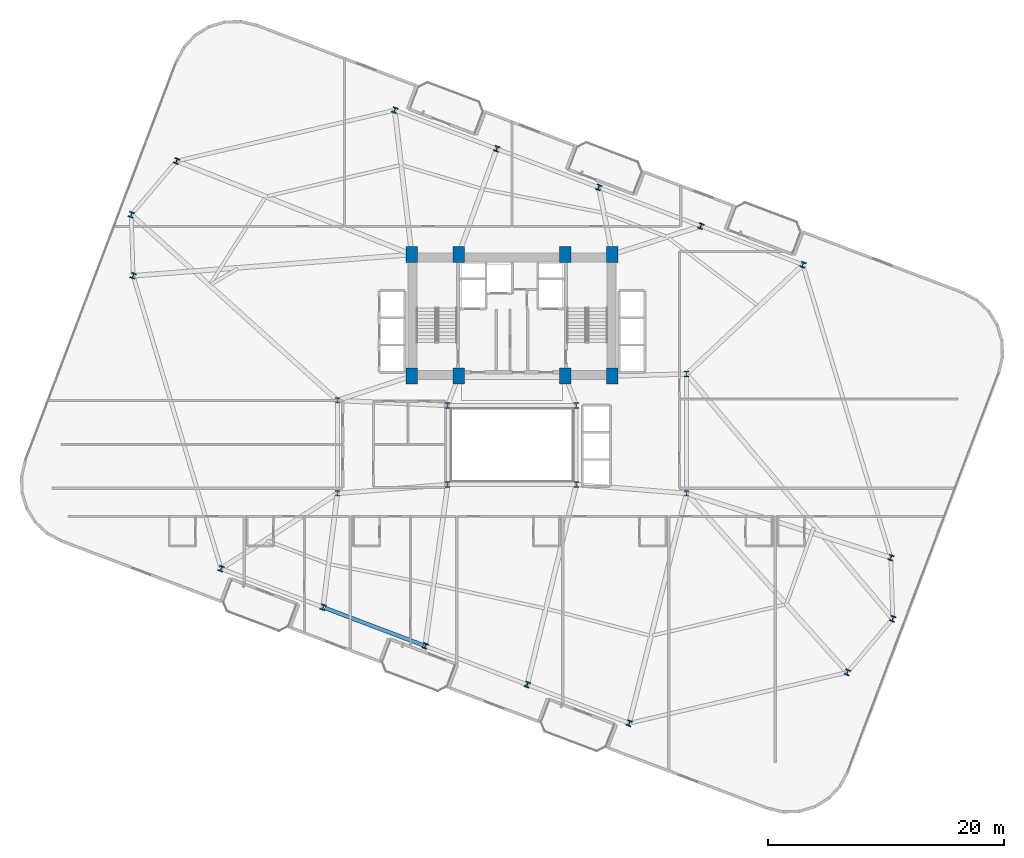
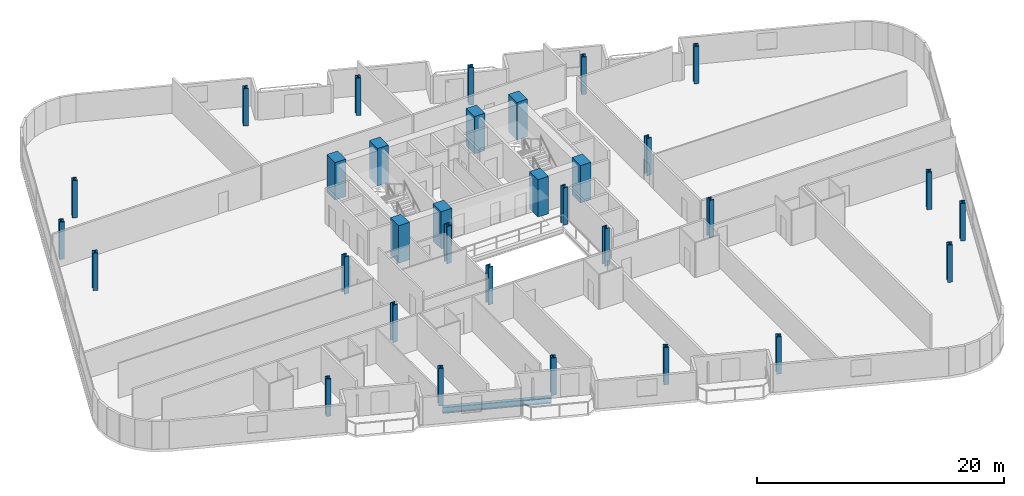
# One storey, part 1 of 25: 32 columns, 1 beam.
"""IFC4 building model written with IfcOpenShell, lengths in metres."""

from ifc_helpers import new_model, si_unit, direction, frame, origin, origin_2d, place, context, subcontext, project, spatial, rectangle, i_section, extrude, material, material_profile, profile_set, type_object, element, save


model = new_model("IFC4")

# Units and contexts
model_context = context("Model", 3, precision=1e-05, world=origin(), true_north=direction((0.0, 1.0)))
body_context = subcontext(model_context, "Body", "Model", "MODEL_VIEW")
ifc_project = project(units=[si_unit("LENGTHUNIT", "METRE"), si_unit("AREAUNIT", "SQUARE_METRE"), si_unit("VOLUMEUNIT", "CUBIC_METRE"), si_unit("PLANEANGLEUNIT", "RADIAN"), si_unit("MASSUNIT", "GRAM", prefix="KILO")], contexts=[model_context])

# Site, building, storey
site_placement = place(None, origin())
site = spatial("IfcSite", under=ifc_project, at=site_placement, CompositionType="ELEMENT")
building_placement = place(site_placement, origin())
building = spatial("IfcBuilding", under=site, at=building_placement, Name="Varnelok Gate Tower", CompositionType="ELEMENT")
storey_placement = place(building_placement, frame((0.0, 0.0, 83.60009765625)))
storey = spatial("IfcBuildingStorey", under=building, at=storey_placement, Name="L20", CompositionType="ELEMENT", Elevation=83.60009765625)

# Columns
ifc_material_1 = material(Name="Concrete C70/85", Category="concrete")
ifc_material_profile_1 = material_profile(ifc_material_1, rectangle(XDim=1.0, YDim=1.35009765625, at=origin_2d()), Name="RC1350X1000")
ifc_profile_set_1 = profile_set([ifc_material_profile_1], Name="Concrete C70/85")
column_type_1 = type_object("IfcColumnType", Name="COL-RC1350X1000", PredefinedType="COLUMN", material=ifc_profile_set_1)
for number, where, z_axis, x_axis, name in (
    (1, (30.699951171875, 28.75, 0.0), (0.0, 0.0, 1.0), (1.0, 0.0, 0.0), "L20 Core Spine Column SC1"),
    (2, (34.679931640625, 28.75, 0.0), (0.0, 0.0, 1.0), (1.0, 0.0, 0.0), "L20 Core Spine Column SC2"),
    (3, (43.719970703125, 28.75, 0.0), (0.0, 0.0, 1.0), (1.0, 0.0, 0.0), "L20 Core Spine Column SC3"),
    (4, (47.699951171875, 28.75, 0.0), (0.0, 0.0, 1.0), (1.0, 0.0, 0.0), "L20 Core Spine Column SC4"),
    (5, (30.699951171875, 39.050048828125, 0.0), (0.0, 0.0, 1.0), (1.0, 0.0, 0.0), "L20 Core Spine Column SC5"),
    (6, (34.679931640625, 39.050048828125, 0.0), (0.0, 0.0, 1.0), (1.0, 0.0, 0.0), "L20 Core Spine Column SC6"),
    (7, (43.719970703125, 39.050048828125, 0.0), (0.0, 0.0, 1.0), (1.0, 0.0, 0.0), "L20 Core Spine Column SC7"),
    (8, (47.699951171875, 39.050048828125, 0.0), (0.0, 0.0, 1.0), (1.0, 0.0, 0.0), "L20 Core Spine Column SC8"),
):
    element("IfcColumn", number, at=place(storey_placement, frame(where, z_axis=z_axis, x_axis=x_axis)), inside=storey, type_object=column_type_1, Name=name, PredefinedType="COLUMN", context=body_context, shape_type="SweptSolid", body=[
        extrude(rectangle(XDim=1.0, YDim=1.35009765625, at=origin_2d()), origin(), (0.0, 0.0, 1.0), 3.699951171875),
    ])
ifc_material_2 = material(Name="Structural Steel ASTM A992 Grade 50", Category="steel")
ifc_material_profile_2 = material_profile(ifc_material_2, i_section(OverallWidth=0.424072265625, OverallDepth=0.47412109375, WebThickness=0.047607421875, FlangeThickness=0.0771484375, FilletRadius=0.02490234375, at=origin_2d()), Name="W14X426")
ifc_profile_set_2 = profile_set([ifc_material_profile_2], Name="Structural Steel ASTM A992 Grade 50")
column_type_2 = type_object("IfcColumnType", Name="COL-W14X426", PredefinedType="COLUMN", material=ifc_profile_set_2)
for number, where, z_axis, x_axis, name in (
    (9, (33.75, 19.550048828125, 0.0), (0.0, 0.0, 1.0), (1.0, 0.0, 0.0), "L20 Atrium Spine Column AC1"),
    (10, (44.64990234375, 19.550048828125, 0.0), (0.0, 0.0, 1.0), (1.0, 0.0, 0.0), "L20 Atrium Spine Column AC2"),
    (11, (33.75, 26.25, 0.0), (0.0, 0.0, 1.0), (1.0, 0.0, 0.0), "L20 Atrium Spine Column AC3"),
    (12, (44.64990234375, 26.25, 0.0), (0.0, 0.0, 1.0), (1.0, 0.0, 0.0), "L20 Atrium Spine Column AC4"),
    (13, (24.39990234375, 18.800048828125, 0.0), (0.0, 0.0, 1.0), (1.0, 0.0, 0.0), "L20 Wing Spine Column WS1"),
    (14, (24.39990234375, 26.679931640625, 0.0), (0.0, 0.0, 1.0), (1.0, 0.0, 0.0), "L20 Wing Spine Column WS2"),
    (15, (54.0, 18.800048828125, 0.0), (0.0, 0.0, 1.0), (1.0, 0.0, 0.0), "L20 Wing Spine Column ES1"),
    (16, (54.0, 28.919921875, 0.0), (0.0, 0.0, 1.0), (1.0, 0.0, 0.0), "L20 Wing Spine Column ES2"),
    (17, (14.541015625, 12.416259765625, 0.0), (0.0, 0.0, 1.0), (0.935221751401, -0.354062530786, 0.0), "L20 B2 Perimeter Column PC01"),
    (18, (23.19189453125, 9.14111328125, 0.0), (0.0, 0.0, 1.0), (0.935221751401, -0.354062530786, 0.0), "L20 B2 Perimeter Column PC02"),
    (19, (31.842529296875, 5.8662109375, 0.0), (0.0, 0.0, 1.0), (0.935221751401, -0.354062530786, 0.0), "L20 B2 Perimeter Column PC03"),
    (20, (40.493408203125, 2.591064453125, 0.0), (0.0, 0.0, 1.0), (0.935221751401, -0.354062530786, 0.0), "L20 B2 Perimeter Column PC04"),
    (21, (49.144287109375, -0.68408203125, 0.0), (0.0, 0.0, 1.0), (0.935221751401, -0.354062530786, 0.0), "L20 B2 Perimeter Column PC05"),
    (22, (67.63671875, 3.627685546875, 0.0), (0.0, 0.0, 1.0), (0.935221751401, -0.354062530786, 0.0), "L20 B2 Perimeter Column PC06"),
    (23, (71.4765625, 8.172607421875, 0.0), (0.0, 0.0, 1.0), (0.935221751401, -0.354062530786, 0.0), "L20 B2 Perimeter Column PC07"),
    (24, (71.319091796875, 13.35400390625, 0.0), (0.0, 0.0, 1.0), (0.935221751401, -0.354062530786, 0.0), "L20 B2 Perimeter Column PC08"),
    (25, (63.85888671875, 38.183837890625, 0.0), (0.0, 0.0, 1.0), (0.935221751401, -0.354062530786, 0.0), "L20 B2 Perimeter Column PC09"),
    (26, (55.208251953125, 41.458740234375, 0.0), (0.0, 0.0, 1.0), (0.935221751401, -0.354062530786, 0.0), "L20 B2 Perimeter Column PC10"),
    (27, (46.557373046875, 44.73388671875, 0.0), (0.0, 0.0, 1.0), (0.935221751401, -0.354062530786, 0.0), "L20 B2 Perimeter Column PC11"),
    (28, (37.906494140625, 48.009033203125, 0.0), (0.0, 0.0, 1.0), (0.935221751401, -0.354062530786, 0.0), "L20 B2 Perimeter Column PC12"),
    (29, (29.255859375, 51.2841796875, 0.0), (0.0, 0.0, 1.0), (0.935221751401, -0.354062530786, 0.0), "L20 B2 Perimeter Column PC13"),
    (30, (10.76318359375, 46.972412109375, 0.0), (0.0, 0.0, 1.0), (0.935221751401, -0.354062530786, 0.0), "L20 B2 Perimeter Column PC14"),
    (31, (6.92333984375, 42.427490234375, 0.0), (0.0, 0.0, 1.0), (0.935221751401, -0.354062530786, 0.0), "L20 B2 Perimeter Column PC15"),
    (32, (7.0810546875, 37.24609375, 0.0), (0.0, 0.0, 1.0), (0.935221751401, -0.354062530786, 0.0), "L20 B2 Perimeter Column PC16"),
):
    element("IfcColumn", number, at=place(storey_placement, frame(where, z_axis=z_axis, x_axis=x_axis)), inside=storey, type_object=column_type_2, Name=name, PredefinedType="COLUMN", context=body_context, shape_type="SweptSolid", body=[
        extrude(i_section(OverallWidth=0.424072265625, OverallDepth=0.47412109375, WebThickness=0.047607421875, FlangeThickness=0.0771484375, FilletRadius=0.02490234375, at=origin_2d()), origin(), (0.0, 0.0, 1.0), 3.699951171875),
    ])

# Beam
ifc_material_profile_3 = material_profile(ifc_material_2, i_section(OverallWidth=0.323974609375, OverallDepth=0.611083984375, WebThickness=0.0126953125, FlangeThickness=0.01904296875, FilletRadius=0.01806640625, at=origin_2d()), Name="W24X104")
ifc_profile_set_3 = profile_set([ifc_material_profile_3], Name="Structural Steel ASTM A992 Grade 50")
beam_type = type_object("IfcBeamType", Name="BM-SPN-W24X104", PredefinedType="SPANDREL", material=ifc_profile_set_3)
beam_placement = place(storey_placement, frame((23.33203125, 9.088134765625, -0.5556640625), z_axis=(0.935220356141, -0.354066216208, 0.0), x_axis=(0.354066216208, 0.935220356141, 0.0)))
element("IfcBeam", 33, at=beam_placement, inside=storey, type_object=beam_type, Name="L20 Perimeter Spandrel Beam 2", PredefinedType="SPANDREL", context=body_context, shape_type="SweptSolid", body=[
    extrude(i_section(OverallWidth=0.323974609375, OverallDepth=0.611083984375, WebThickness=0.0126953125, FlangeThickness=0.01904296875, FilletRadius=0.01806640625, at=origin_2d()), origin(), (0.0, 0.0, 1.0), 8.9501953125),
])

save(model, "model.ifc")
